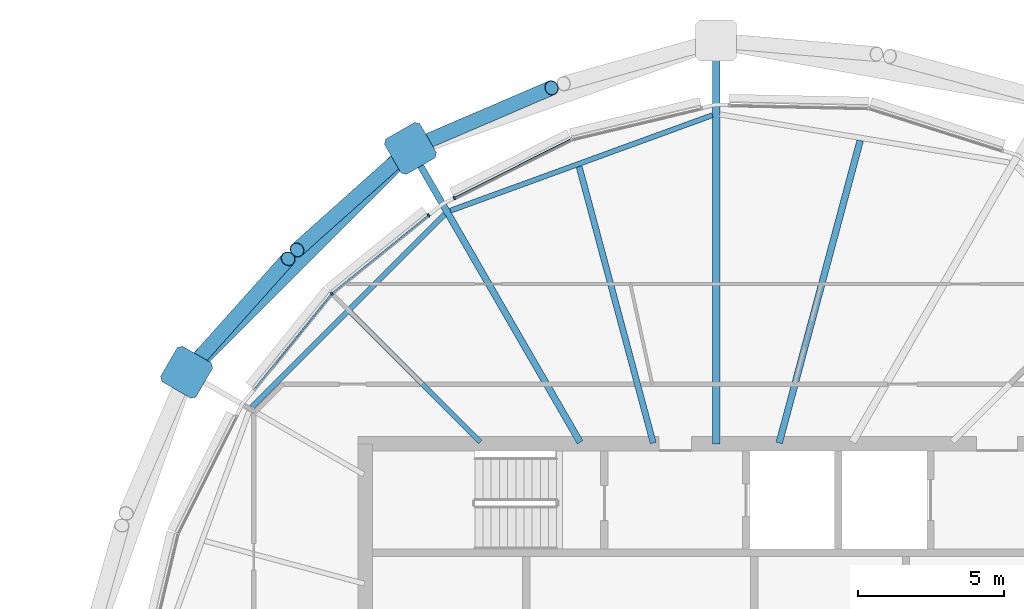
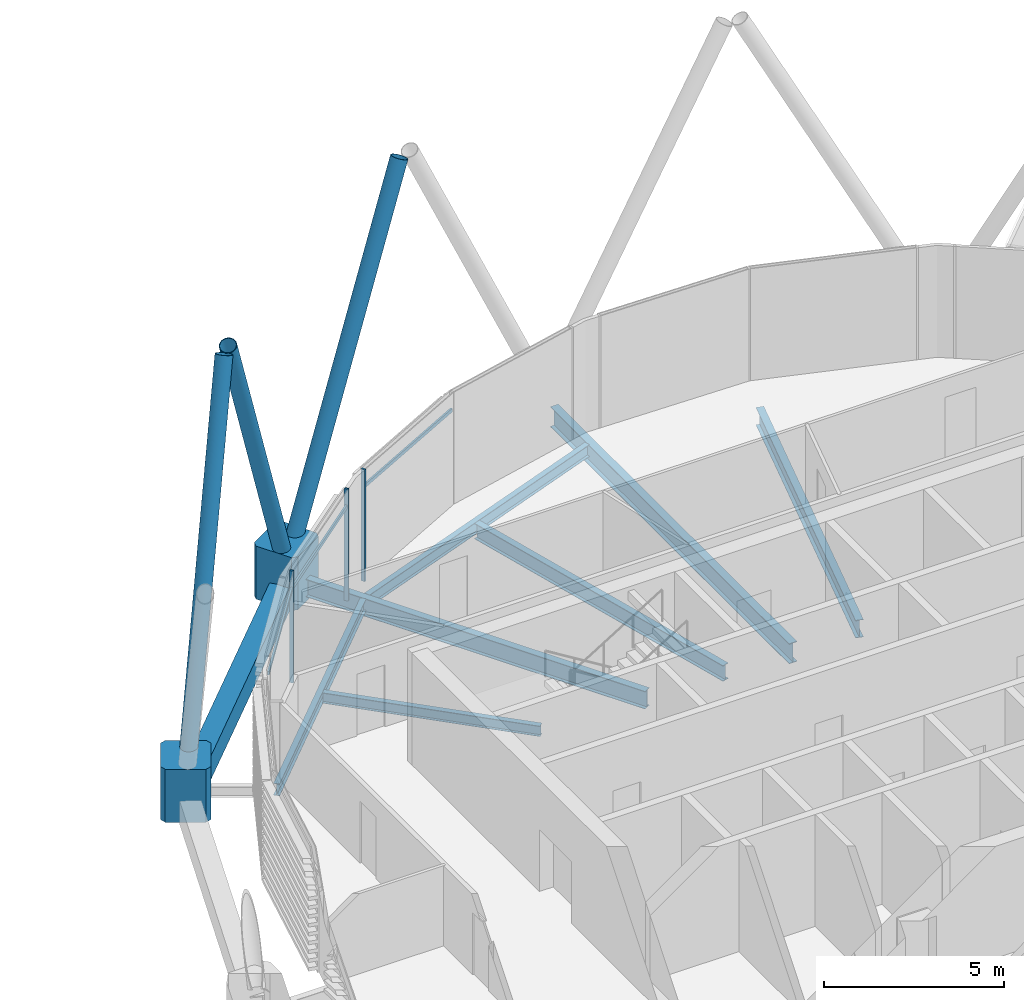
# One storey, part 16 of 34: 11 members, 8 beams, 1 element without a shape of its own.
"""IFC4 building model written with IfcOpenShell, lengths in metres."""

from ifc_helpers import new_model, si_unit, direction, frame, origin, origin_2d, place, context, subcontext, project, spatial, polyline, rectangle, hollow_rectangle, hollow_circle, i_section, outline, extrude, material, material_profile, profile_set, type_object, element, aggregate, save


model = new_model("IFC4")

# Units and contexts
model_context = context("Model", 3, precision=1e-05, world=origin(), true_north=direction((0.0, 1.0)))
body_context = subcontext(model_context, "Body", "Model", "MODEL_VIEW")
ifc_project = project(units=[si_unit("LENGTHUNIT", "METRE"), si_unit("AREAUNIT", "SQUARE_METRE"), si_unit("VOLUMEUNIT", "CUBIC_METRE"), si_unit("PLANEANGLEUNIT", "RADIAN"), si_unit("MASSUNIT", "GRAM", prefix="KILO")], contexts=[model_context])

# Site, building, storey
site_placement = place(None, origin())
site = spatial("IfcSite", under=ifc_project, at=site_placement, CompositionType="ELEMENT")
building_placement = place(site_placement, origin())
building = spatial("IfcBuilding", under=site, at=building_placement, Name="Rimbun Link Towers", CompositionType="ELEMENT")
storey_placement = place(building_placement, frame((0.0, 0.0, 221.89990234375)))
storey = spatial("IfcBuildingStorey", under=building, at=storey_placement, Name="L54", CompositionType="ELEMENT", Elevation=221.89990234375)

# Curtain wall, members
ifc_material_1 = material(Name="Aluminium 6063-T6 and low-iron glass", Category="aluminium")
curtain_wall_type = type_object("IfcCurtainWallType", Name="CW1-Z4 unitised vision wall (zone 4)", PredefinedType="NOTDEFINED", material=ifc_material_1)
curtain_wall_placement = place(storey_placement, origin())
curtain_wall = element("IfcCurtainWall", 1, at=curtain_wall_placement, inside=storey, type_object=curtain_wall_type, Name="CW1 L54 T2", PredefinedType="NOTDEFINED")
ifc_material_2 = material(Name="Aluminium 6063-T6", Category="aluminium")
ifc_material_profile_1 = material_profile(ifc_material_2, rectangle(XDim=0.1201171875, YDim=0.06005859375, at=origin_2d()), Name="MULLION 60X120")
ifc_profile_set_1 = profile_set([ifc_material_profile_1], Name="Aluminium 6063-T6")
member_type_1 = type_object("IfcMemberType", Name="CW1 mullion 60X120", PredefinedType="MULLION", material=ifc_profile_set_1)
member_1_placement = place(storey_placement, frame((22.801513671875, 16.40478515625, 0.0), z_axis=(0.0, 0.0, 1.0), x_axis=(-0.448771319523, 0.893646631938, 0.0)))
member_1 = element("IfcMember", 2, at=member_1_placement, type_object=member_type_1, Name="CW1 mullion", PredefinedType="MULLION", context=body_context, shape_type="SweptSolid", body=[
    extrude(rectangle(XDim=0.1201171875, YDim=0.06005859375, at=origin_2d()), origin(), (0.0, 0.0, 1.0), 3.800048828125),
])
member_2_placement = place(storey_placement, frame((18.61181640625, 13.13818359375, 0.0), z_axis=(0.0, 0.0, 1.0), x_axis=(-0.707106781187, 0.707106781187, 0.0)))
member_2 = element("IfcMember", 3, at=member_2_placement, type_object=member_type_1, Name="CW1 mullion", PredefinedType="MULLION", context=body_context, shape_type="SweptSolid", body=[
    extrude(rectangle(XDim=0.1201171875, YDim=0.06005859375, at=origin_2d()), origin(), (0.0, 0.0, 1.0), 3.800048828125),
])
member_3_placement = place(storey_placement, frame((21.922119140625, 15.818359375, 0.0), z_axis=(0.0, 0.0, 1.0), x_axis=(-0.629160290454, 0.777275581063, 0.0)))
member_3 = element("IfcMember", 4, at=member_3_placement, type_object=member_type_1, Name="CW1 mullion", PredefinedType="MULLION", context=body_context, shape_type="SweptSolid", body=[
    extrude(rectangle(XDim=0.1201171875, YDim=0.06005859375, at=origin_2d()), origin(), (0.0, 0.0, 1.0), 3.800048828125),
])
ifc_material_3 = material(Name="Aluminium 6063-T6", Category="aluminium")
ifc_material_profile_2 = material_profile(ifc_material_3, rectangle(XDim=0.06005859375, YDim=0.1201171875, at=origin_2d()), Name="TRANSOM 60X120")
ifc_profile_set_2 = profile_set([ifc_material_profile_2], Name="Aluminium 6063-T6")
member_type_2 = type_object("IfcMemberType", Name="CW1 transom 60X120", PredefinedType="USERDEFINED", material=ifc_profile_set_2)
member_4_placement = place(storey_placement, frame((22.8291015625, 16.416259765625, 3.2001953125), z_axis=(0.893630062072, 0.448804313885, 0.0), x_axis=(-0.448804313885, 0.893630062072, 0.0)))
member_4 = element("IfcMember", 5, at=member_4_placement, type_object=member_type_2, Name="CW1 transom", ObjectType="TRANSOM", PredefinedType="USERDEFINED", context=body_context, shape_type="SweptSolid", body=[
    extrude(rectangle(XDim=0.06005859375, YDim=0.1201171875, at=origin_2d()), origin(), (0.0, 0.0, 1.0), 4.418212890625),
])
member_5_placement = place(storey_placement, frame((18.64111328125, 13.15966796875, 3.2001953125), z_axis=(0.7772543622, 0.629186503703, 0.0), x_axis=(-0.629186503703, 0.7772543622, 0.0)))
member_5 = element("IfcMember", 6, at=member_5_placement, type_object=member_type_2, Name="CW1 transom", ObjectType="TRANSOM", PredefinedType="USERDEFINED", context=body_context, shape_type="SweptSolid", body=[
    extrude(rectangle(XDim=0.06005859375, YDim=0.1201171875, at=origin_2d()), origin(), (0.0, 0.0, 1.0), 4.193115234375),
])
member_6_placement = place(storey_placement, frame((15.983642578125, 9.888671875, 3.2001953125), z_axis=(0.62917619089, 0.777262710297, 0.0), x_axis=(-0.777262710297, 0.62917619089, 0.0)))
member_6 = element("IfcMember", 7, at=member_6_placement, type_object=member_type_2, Name="CW1 transom", ObjectType="TRANSOM", PredefinedType="USERDEFINED", context=body_context, shape_type="SweptSolid", body=[
    extrude(rectangle(XDim=0.06005859375, YDim=0.1201171875, at=origin_2d()), origin(), (0.0, 0.0, 1.0), 4.14306640625),
])
aggregate(curtain_wall, [member_1, member_2, member_3, member_4, member_5, member_6])

# Members
ifc_material_4 = material(Name="Steel S355J2H", Category="steel")
ifc_material_profile_3 = material_profile(ifc_material_4, hollow_circle(Radius=0.25390625, WallThickness=0.02001953125, at=origin_2d()), Name="Diagrid diagonal CHS 508x20")
ifc_profile_set_3 = profile_set([ifc_material_profile_3], Name="Steel S355J2H")
member_type_3 = type_object("IfcMemberType", Name="Diagrid diagonal CHS 508x20", PredefinedType="BRACE", material=ifc_profile_set_3)
member_7_placement = place(storey_placement, frame((21.5, 18.182861328125, 0.450927734375), z_axis=(0.39722108711, 0.170489253416, 0.901747648971), x_axis=(-0.394411064101, 0.918934117614, 0.0)))
element("IfcMember", 8, at=member_7_placement, inside=storey, type_object=member_type_3, Name="Diagrid diagonal T2 L54-L57 05a", PredefinedType="BRACE", context=body_context, shape_type="SweptSolid", body=[
    extrude(hollow_circle(Radius=0.25390625, WallThickness=0.02001953125, at=origin_2d()), origin(), (0.0, 0.0, 1.0), 11.64208984375),
])
for number, where, z_axis, x_axis, name in (
    (9, (21.141357421875, 17.95458984375, 0.45166015625), (-0.319901395332, -0.286121421357, 0.903215162353), (0.666657495465, -0.74536419537, 0.0), "Diagrid diagonal T2 L54-L57 05b"),
    (10, (13.79541015625, 10.608642578125, 0.45166015625), (0.286121421357, 0.319901395332, 0.903215162353), (-0.74536419537, 0.666657495465, 0.0), "Diagrid diagonal T2 L54-L57 07a"),
):
    element("IfcMember", number, at=place(storey_placement, frame(where, z_axis=z_axis, x_axis=x_axis)), inside=storey, type_object=member_type_3, Name=name, PredefinedType="BRACE", context=body_context, shape_type="SweptSolid", body=[
        extrude(hollow_circle(Radius=0.25390625, WallThickness=0.02001953125, at=origin_2d()), origin(), (0.0, 0.0, 1.0), 11.62158203125),
    ])
ifc_material_5 = material(Name="Cast steel G20Mn5+QT, Rp0.2 300 MPa", Category="steel")
ifc_material_profile_4 = material_profile(ifc_material_5, outline(polyline([(0.699951171875, -0.570068359375), (0.699951171875, 0.570068359375), (0.570068359375, 0.699951171875), (-0.570068359375, 0.699951171875), (-0.699951171875, 0.570068359375), (-0.699951171875, -0.570068359375), (-0.570068359375, -0.699951171875), (0.570068359375, -0.699951171875), (0.699951171875, -0.570068359375)])), Name="NODE 1400x1400")
ifc_profile_set_4 = profile_set([ifc_material_profile_4], Name="Cast steel G20Mn5+QT, Rp0.2 300 MPa")
member_type_4 = type_object("IfcMemberType", Name="Diagrid node cast 1400", PredefinedType="USERDEFINED", material=ifc_profile_set_4)
for number, where, z_axis, x_axis, name in (
    (11, (21.30126953125, 18.09765625, -0.89990234375), (0.0, 0.0, 1.0), (-0.5, 0.866025403784, 0.0), "Diagrid node L54 05"),
    (12, (13.65234375, 10.44873046875, -0.89990234375), (0.0, 0.0, 1.0), (-0.866025403784, 0.5, 0.0), "Diagrid node L54 07"),
):
    element("IfcMember", number, at=place(storey_placement, frame(where, z_axis=z_axis, x_axis=x_axis)), inside=storey, type_object=member_type_4, Name=name, ObjectType="Diagrid node", PredefinedType="USERDEFINED", context=body_context, shape_type="SweptSolid", body=[
        extrude(outline(polyline([(0.699951171875, -0.570068359375), (0.699951171875, 0.570068359375), (0.570068359375, 0.699951171875), (-0.570068359375, 0.699951171875), (-0.699951171875, 0.570068359375), (-0.699951171875, -0.570068359375), (-0.570068359375, -0.699951171875), (0.570068359375, -0.699951171875), (0.699951171875, -0.570068359375)])), origin(), (0.0, 0.0, 1.0), 1.800048828125),
    ])

# Beams
ifc_material_6 = material(Name="Steel S355J2", Category="steel")
ifc_material_profile_5 = material_profile(ifc_material_6, hollow_rectangle(XDim=0.60009765625, YDim=0.800048828125, WallThickness=0.0400390625, at=origin_2d()), Name="Exoskeleton ring girder BOX 600x800x40")
ifc_profile_set_5 = profile_set([ifc_material_profile_5], Name="Steel S355J2")
beam_type_1 = type_object("IfcBeamType", Name="Exoskeleton ring girder BOX 600x800x40", PredefinedType="BEAM", material=ifc_profile_set_5)
beam_1_placement = place(storey_placement, frame((20.806396484375, 17.6025390625, -0.559814453125), z_axis=(-0.707106781187, -0.707106781187, 0.0), x_axis=(0.707106781187, -0.707106781187, 0.0)))
element("IfcBeam", 13, at=beam_1_placement, inside=storey, type_object=beam_type_1, Name="Exoskeleton ring girder L54 02", PredefinedType="BEAM", context=body_context, shape_type="SweptSolid", body=[
    extrude(hollow_rectangle(XDim=0.60009765625, YDim=0.800048828125, WallThickness=0.0400390625, at=origin_2d()), origin(), (0.0, 0.0, 1.0), 9.417236328125),
])
ifc_material_7 = material(Name="Steel S355J2", Category="steel")
ifc_material_profile_6 = material_profile(ifc_material_7, i_section(OverallWidth=0.17138671875, OverallDepth=0.35498046875, WebThickness=0.00732421875, FlangeThickness=0.011474609375, at=origin_2d()), Name="UB 356x171x51")
ifc_profile_set_6 = profile_set([ifc_material_profile_6], Name="Steel S355J2")
beam_type_2 = type_object("IfcBeamType", Name="UB 356x171x51", PredefinedType="BEAM", material=ifc_profile_set_6)
beam_2_placement = place(storey_placement, frame((23.688720703125, 8.061279296875, -0.3173828125), z_axis=(-0.707106781187, 0.707106781187, 0.0), x_axis=(-0.707106781187, -0.707106781187, 0.0)))
element("IfcBeam", 14, at=beam_2_placement, inside=storey, type_object=beam_type_2, Name="Radial beam T2 L54 06", PredefinedType="BEAM", context=body_context, shape_type="SweptSolid", body=[
    extrude(i_section(OverallWidth=0.17138671875, OverallDepth=0.35498046875, WebThickness=0.00732421875, FlangeThickness=0.011474609375, at=origin_2d()), origin(), (0.0, 0.0, 1.0), 6.27734375),
])
ifc_material_8 = material(Name="Steel S355J2", Category="steel")
ifc_material_profile_7 = material_profile(ifc_material_8, i_section(OverallWidth=0.177978515625, OverallDepth=0.406494140625, WebThickness=0.0078125, FlangeThickness=0.0126953125, at=origin_2d()), Name="UB 406x178x60")
ifc_profile_set_7 = profile_set([ifc_material_profile_7], Name="Steel S355J2")
beam_type_3 = type_object("IfcBeamType", Name="UB 406x178x60", PredefinedType="BEAM", material=ifc_profile_set_7)
beam_3_placement = place(storey_placement, frame((31.622314453125, 19.233642578125, -0.343017578125), z_axis=(-0.93959966794, -0.342275421272, 0.0), x_axis=(0.342275421272, -0.93959966794, 0.0)))
element("IfcBeam", 15, at=beam_3_placement, inside=storey, type_object=beam_type_3, Name="Edge beam T2 L54 03-05", PredefinedType="BEAM", context=body_context, shape_type="SweptSolid", body=[
    extrude(i_section(OverallWidth=0.177978515625, OverallDepth=0.406494140625, WebThickness=0.0078125, FlangeThickness=0.0126953125, at=origin_2d()), origin(), (0.0, 0.0, 1.0), 9.535888671875),
])
beam_4_placement = place(storey_placement, frame((22.46875, 15.845947265625, -0.343017578125), z_axis=(-0.70709367363, -0.7071198885, 0.0), x_axis=(0.7071198885, -0.70709367363, 0.0)))
element("IfcBeam", 16, at=beam_4_placement, inside=storey, type_object=beam_type_3, Name="Edge beam T2 L54 05-07", PredefinedType="BEAM", context=body_context, shape_type="SweptSolid", body=[
    extrude(i_section(OverallWidth=0.177978515625, OverallDepth=0.406494140625, WebThickness=0.0078125, FlangeThickness=0.0126953125, at=origin_2d()), origin(), (0.0, 0.0, 1.0), 9.31298828125),
])
ifc_material_9 = material(Name="Steel S355J2", Category="steel")
ifc_material_profile_8 = material_profile(ifc_material_9, i_section(OverallWidth=0.209228515625, OverallDepth=0.533203125, WebThickness=0.010009765625, FlangeThickness=0.015625, at=origin_2d()), Name="UB 533x210x92")
ifc_profile_set_8 = profile_set([ifc_material_profile_8], Name="Steel S355J2")
beam_type_4 = type_object("IfcBeamType", Name="UB 533x210x92", PredefinedType="BEAM", material=ifc_profile_set_8)
beam_5_placement = place(storey_placement, frame((29.598876953125, 8.028076171875, -0.406494140625), z_axis=(-0.258817990667, 0.965926108824, 0.0), x_axis=(-0.965926108824, -0.258817990667, 0.0)))
element("IfcBeam", 17, at=beam_5_placement, inside=storey, type_object=beam_type_4, Name="Radial beam T2 L54 04", PredefinedType="BEAM", context=body_context, shape_type="SweptSolid", body=[
    extrude(i_section(OverallWidth=0.209228515625, OverallDepth=0.533203125, WebThickness=0.010009765625, FlangeThickness=0.015625, at=origin_2d()), origin(), (0.0, 0.0, 1.0), 9.78369140625),
])
ifc_material_10 = material(Name="Steel S355J2", Category="steel")
ifc_material_profile_9 = material_profile(ifc_material_10, i_section(OverallWidth=0.2275390625, OverallDepth=0.6025390625, WebThickness=0.010498046875, FlangeThickness=0.014892578125, at=origin_2d()), Name="UB 610x229x101")
ifc_profile_set_9 = profile_set([ifc_material_profile_9], Name="Steel S355J2")
beam_type_5 = type_object("IfcBeamType", Name="UB 610x229x101", PredefinedType="BEAM", material=ifc_profile_set_9)
beam_6_placement = place(storey_placement, frame((33.901611328125, 8.030517578125, -0.441162109375), z_axis=(0.258836404679, 0.965921174637, 0.0), x_axis=(-0.965921174637, 0.258836404679, 0.0)))
element("IfcBeam", 18, at=beam_6_placement, inside=storey, type_object=beam_type_5, Name="Radial beam T2 L54 02", PredefinedType="BEAM", context=body_context, shape_type="SweptSolid", body=[
    extrude(i_section(OverallWidth=0.2275390625, OverallDepth=0.6025390625, WebThickness=0.010498046875, FlangeThickness=0.014892578125, at=origin_2d()), origin(), (0.0, 0.0, 1.0), 10.70458984375),
])
beam_7_placement = place(storey_placement, frame((27.097900390625, 8.057861328125, -0.441162109375), z_axis=(-0.500013935647, 0.866017357885, 0.0), x_axis=(-0.866017357885, -0.500013935647, 0.0)))
element("IfcBeam", 19, at=beam_7_placement, inside=storey, type_object=beam_type_5, Name="Radial beam T2 L54 05", PredefinedType="BEAM", context=body_context, shape_type="SweptSolid", body=[
    extrude(i_section(OverallWidth=0.2275390625, OverallDepth=0.6025390625, WebThickness=0.010498046875, FlangeThickness=0.014892578125, at=origin_2d()), origin(), (0.0, 0.0, 1.0), 11.093017578125),
])
ifc_material_11 = material(Name="Steel S355J2", Category="steel")
ifc_material_profile_10 = material_profile(ifc_material_11, i_section(OverallWidth=0.253662109375, OverallDepth=0.68359375, WebThickness=0.012451171875, FlangeThickness=0.01904296875, at=origin_2d()), Name="UB 686x254x140")
ifc_profile_set_10 = profile_set([ifc_material_profile_10], Name="Steel S355J2")
beam_type_6 = type_object("IfcBeamType", Name="UB 686x254x140", PredefinedType="BEAM", material=ifc_profile_set_10)
beam_8_placement = place(storey_placement, frame((31.75, 8.0009765625, -0.481689453125), z_axis=(0.0, 1.0, 0.0), x_axis=(-1.0, 0.0, 0.0)))
element("IfcBeam", 20, at=beam_8_placement, inside=storey, type_object=beam_type_6, Name="Radial beam T2 L54 03", PredefinedType="BEAM", context=body_context, shape_type="SweptSolid", body=[
    extrude(i_section(OverallWidth=0.253662109375, OverallDepth=0.68359375, WebThickness=0.012451171875, FlangeThickness=0.01904296875, at=origin_2d()), origin(), (0.0, 0.0, 1.0), 13.286376953125),
])

save(model, "model.ifc")
